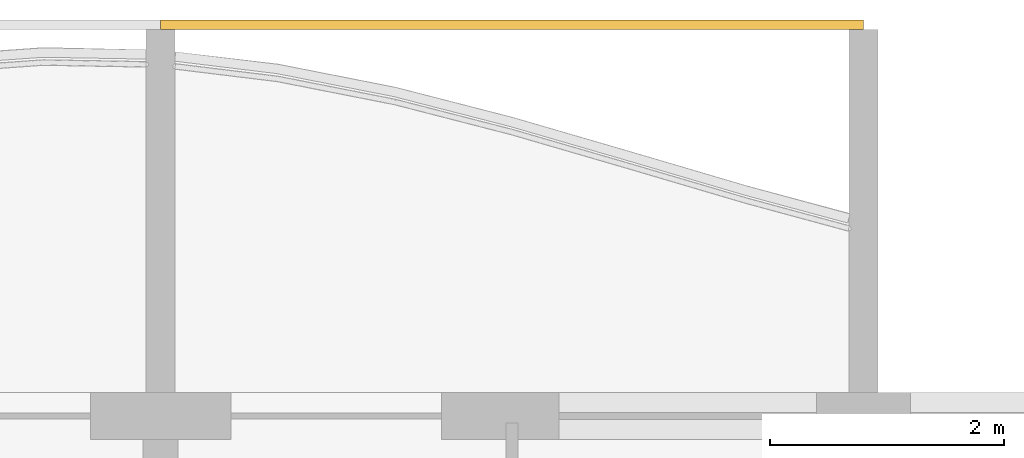
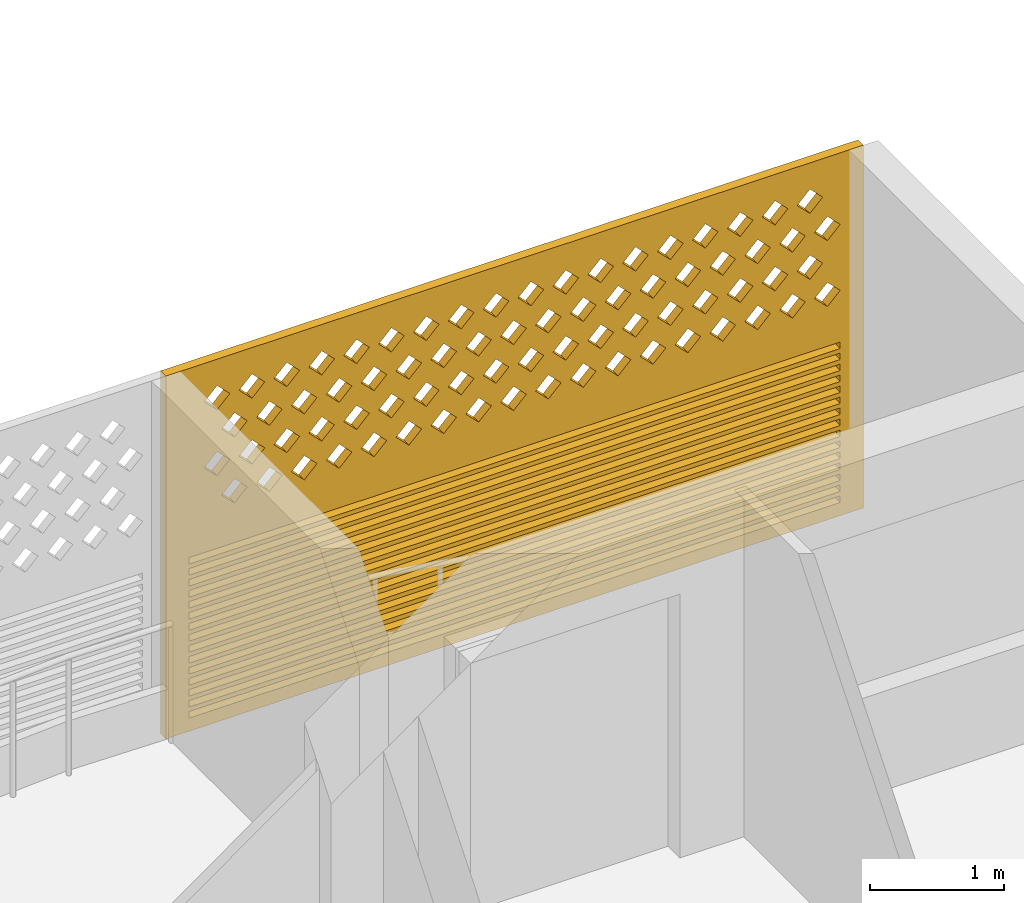
# One storey, part 22 of 32: 1 covering.
"""IFC4 building model written with IfcOpenShell, lengths in metres."""

from ifc_helpers import new_model, si_unit, direction, frame, origin, place, context, subcontext, project, spatial, polyline, outline, extrude, source, transform, mapped, material, material_profile, profile_set, type_object, element, save


model = new_model("IFC4")

# Units and contexts
model_context = context("Model", 3, precision=1e-05, world=origin(), true_north=direction((0.0, 1.0)))
body_context = subcontext(model_context, "Body", "Model", "MODEL_VIEW")
ifc_project = project(units=[si_unit("LENGTHUNIT", "METRE"), si_unit("AREAUNIT", "SQUARE_METRE"), si_unit("VOLUMEUNIT", "CUBIC_METRE"), si_unit("PLANEANGLEUNIT", "RADIAN"), si_unit("MASSUNIT", "GRAM", prefix="KILO")], contexts=[model_context])

# Site, building, storey
site_placement = place(None, origin())
site = spatial("IfcSite", under=ifc_project, at=site_placement, CompositionType="ELEMENT")
building_placement = place(site_placement, origin())
building = spatial("IfcBuilding", under=site, at=building_placement, Name="Poui Terraces", CompositionType="ELEMENT")
storey_placement = place(building_placement, frame((0.0, 0.0, 152.10009765625)))
storey = spatial("IfcBuildingStorey", under=building, at=storey_placement, Name="L42", CompositionType="ELEMENT", Elevation=152.10009765625)

# Covering
ifc_material = material(Name="Terracotta screen", Category="masonry")
ifc_material_profile = material_profile(ifc_material, outline(polyline([(-3.0, -1.64990234375), (3.0, -1.64990234375), (3.0, 1.64990234375), (-3.0, 1.64990234375), (-3.0, -1.64990234375)]), holes=[polyline([(-2.800048828125, 0.39990234375), (-2.68994140625, 0.2900390625), (-2.580078125, 0.39990234375), (-2.68994140625, 0.510009765625), (-2.800048828125, 0.39990234375)]), polyline([(-2.5, 0.39990234375), (-2.389892578125, 0.2900390625), (-2.280029296875, 0.39990234375), (-2.389892578125, 0.510009765625), (-2.5, 0.39990234375)]), polyline([(-2.199951171875, 0.39990234375), (-2.090087890625, 0.2900390625), (-1.97998046875, 0.39990234375), (-2.090087890625, 0.510009765625), (-2.199951171875, 0.39990234375)]), polyline([(-1.89990234375, 0.39990234375), (-1.7900390625, 0.2900390625), (-1.679931640625, 0.39990234375), (-1.7900390625, 0.510009765625), (-1.89990234375, 0.39990234375)]), polyline([(-1.60009765625, 0.39990234375), (-1.489990234375, 0.2900390625), (-1.3798828125, 0.39990234375), (-1.489990234375, 0.510009765625), (-1.60009765625, 0.39990234375)]), polyline([(-1.300048828125, 0.39990234375), (-1.18994140625, 0.2900390625), (-1.080078125, 0.39990234375), (-1.18994140625, 0.510009765625), (-1.300048828125, 0.39990234375)]), polyline([(-1.0, 0.39990234375), (-0.889892578125, 0.2900390625), (-0.780029296875, 0.39990234375), (-0.889892578125, 0.510009765625), (-1.0, 0.39990234375)]), polyline([(-0.699951171875, 0.39990234375), (-0.590087890625, 0.2900390625), (-0.47998046875, 0.39990234375), (-0.590087890625, 0.510009765625), (-0.699951171875, 0.39990234375)]), polyline([(-0.39990234375, 0.39990234375), (-0.2900390625, 0.2900390625), (-0.179931640625, 0.39990234375), (-0.2900390625, 0.510009765625), (-0.39990234375, 0.39990234375)]), polyline([(-0.10009765625, 0.39990234375), (0.010009765625, 0.2900390625), (0.1201171875, 0.39990234375), (0.010009765625, 0.510009765625), (-0.10009765625, 0.39990234375)]), polyline([(0.199951171875, 0.39990234375), (0.31005859375, 0.2900390625), (0.419921875, 0.39990234375), (0.31005859375, 0.510009765625), (0.199951171875, 0.39990234375)]), polyline([(0.5, 0.39990234375), (0.610107421875, 0.2900390625), (0.719970703125, 0.39990234375), (0.610107421875, 0.510009765625), (0.5, 0.39990234375)]), polyline([(0.800048828125, 0.39990234375), (0.909912109375, 0.2900390625), (1.02001953125, 0.39990234375), (0.909912109375, 0.510009765625), (0.800048828125, 0.39990234375)]), polyline([(1.10009765625, 0.39990234375), (1.2099609375, 0.2900390625), (1.320068359375, 0.39990234375), (1.2099609375, 0.510009765625), (1.10009765625, 0.39990234375)]), polyline([(1.39990234375, 0.39990234375), (1.510009765625, 0.2900390625), (1.6201171875, 0.39990234375), (1.510009765625, 0.510009765625), (1.39990234375, 0.39990234375)]), polyline([(1.699951171875, 0.39990234375), (1.81005859375, 0.2900390625), (1.919921875, 0.39990234375), (1.81005859375, 0.510009765625), (1.699951171875, 0.39990234375)]), polyline([(2.0, 0.39990234375), (2.110107421875, 0.2900390625), (2.219970703125, 0.39990234375), (2.110107421875, 0.510009765625), (2.0, 0.39990234375)]), polyline([(2.300048828125, 0.39990234375), (2.409912109375, 0.2900390625), (2.52001953125, 0.39990234375), (2.409912109375, 0.510009765625), (2.300048828125, 0.39990234375)]), polyline([(-2.64990234375, 0.699951171875), (-2.5400390625, 0.590087890625), (-2.429931640625, 0.699951171875), (-2.5400390625, 0.81005859375), (-2.64990234375, 0.699951171875)]), polyline([(-2.35009765625, 0.699951171875), (-2.239990234375, 0.590087890625), (-2.1298828125, 0.699951171875), (-2.239990234375, 0.81005859375), (-2.35009765625, 0.699951171875)]), polyline([(-2.050048828125, 0.699951171875), (-1.93994140625, 0.590087890625), (-1.830078125, 0.699951171875), (-1.93994140625, 0.81005859375), (-2.050048828125, 0.699951171875)]), polyline([(-1.75, 0.699951171875), (-1.639892578125, 0.590087890625), (-1.530029296875, 0.699951171875), (-1.639892578125, 0.81005859375), (-1.75, 0.699951171875)]), polyline([(-1.449951171875, 0.699951171875), (-1.340087890625, 0.590087890625), (-1.22998046875, 0.699951171875), (-1.340087890625, 0.81005859375), (-1.449951171875, 0.699951171875)]), polyline([(-1.14990234375, 0.699951171875), (-1.0400390625, 0.590087890625), (-0.929931640625, 0.699951171875), (-1.0400390625, 0.81005859375), (-1.14990234375, 0.699951171875)]), polyline([(-0.85009765625, 0.699951171875), (-0.739990234375, 0.590087890625), (-0.6298828125, 0.699951171875), (-0.739990234375, 0.81005859375), (-0.85009765625, 0.699951171875)]), polyline([(-0.550048828125, 0.699951171875), (-0.43994140625, 0.590087890625), (-0.330078125, 0.699951171875), (-0.43994140625, 0.81005859375), (-0.550048828125, 0.699951171875)]), polyline([(-0.25, 0.699951171875), (-0.139892578125, 0.590087890625), (-0.030029296875, 0.699951171875), (-0.139892578125, 0.81005859375), (-0.25, 0.699951171875)]), polyline([(0.050048828125, 0.699951171875), (0.159912109375, 0.590087890625), (0.27001953125, 0.699951171875), (0.159912109375, 0.81005859375), (0.050048828125, 0.699951171875)]), polyline([(0.35009765625, 0.699951171875), (0.4599609375, 0.590087890625), (0.570068359375, 0.699951171875), (0.4599609375, 0.81005859375), (0.35009765625, 0.699951171875)]), polyline([(0.64990234375, 0.699951171875), (0.760009765625, 0.590087890625), (0.8701171875, 0.699951171875), (0.760009765625, 0.81005859375), (0.64990234375, 0.699951171875)]), polyline([(0.949951171875, 0.699951171875), (1.06005859375, 0.590087890625), (1.169921875, 0.699951171875), (1.06005859375, 0.81005859375), (0.949951171875, 0.699951171875)]), polyline([(1.25, 0.699951171875), (1.360107421875, 0.590087890625), (1.469970703125, 0.699951171875), (1.360107421875, 0.81005859375), (1.25, 0.699951171875)]), polyline([(1.550048828125, 0.699951171875), (1.659912109375, 0.590087890625), (1.77001953125, 0.699951171875), (1.659912109375, 0.81005859375), (1.550048828125, 0.699951171875)]), polyline([(1.85009765625, 0.699951171875), (1.9599609375, 0.590087890625), (2.070068359375, 0.699951171875), (1.9599609375, 0.81005859375), (1.85009765625, 0.699951171875)]), polyline([(2.14990234375, 0.699951171875), (2.260009765625, 0.590087890625), (2.3701171875, 0.699951171875), (2.260009765625, 0.81005859375), (2.14990234375, 0.699951171875)]), polyline([(2.449951171875, 0.699951171875), (2.56005859375, 0.590087890625), (2.669921875, 0.699951171875), (2.56005859375, 0.81005859375), (2.449951171875, 0.699951171875)]), polyline([(-2.800048828125, 1.0), (-2.68994140625, 0.889892578125), (-2.580078125, 1.0), (-2.68994140625, 1.110107421875), (-2.800048828125, 1.0)]), polyline([(-2.5, 1.0), (-2.389892578125, 0.889892578125), (-2.280029296875, 1.0), (-2.389892578125, 1.110107421875), (-2.5, 1.0)]), polyline([(-2.199951171875, 1.0), (-2.090087890625, 0.889892578125), (-1.97998046875, 1.0), (-2.090087890625, 1.110107421875), (-2.199951171875, 1.0)]), polyline([(-1.89990234375, 1.0), (-1.7900390625, 0.889892578125), (-1.679931640625, 1.0), (-1.7900390625, 1.110107421875), (-1.89990234375, 1.0)]), polyline([(-1.60009765625, 1.0), (-1.489990234375, 0.889892578125), (-1.3798828125, 1.0), (-1.489990234375, 1.110107421875), (-1.60009765625, 1.0)]), polyline([(-1.300048828125, 1.0), (-1.18994140625, 0.889892578125), (-1.080078125, 1.0), (-1.18994140625, 1.110107421875), (-1.300048828125, 1.0)]), polyline([(-1.0, 1.0), (-0.889892578125, 0.889892578125), (-0.780029296875, 1.0), (-0.889892578125, 1.110107421875), (-1.0, 1.0)]), polyline([(-0.699951171875, 1.0), (-0.590087890625, 0.889892578125), (-0.47998046875, 1.0), (-0.590087890625, 1.110107421875), (-0.699951171875, 1.0)]), polyline([(-0.39990234375, 1.0), (-0.2900390625, 0.889892578125), (-0.179931640625, 1.0), (-0.2900390625, 1.110107421875), (-0.39990234375, 1.0)]), polyline([(-0.10009765625, 1.0), (0.010009765625, 0.889892578125), (0.1201171875, 1.0), (0.010009765625, 1.110107421875), (-0.10009765625, 1.0)]), polyline([(0.199951171875, 1.0), (0.31005859375, 0.889892578125), (0.419921875, 1.0), (0.31005859375, 1.110107421875), (0.199951171875, 1.0)]), polyline([(0.5, 1.0), (0.610107421875, 0.889892578125), (0.719970703125, 1.0), (0.610107421875, 1.110107421875), (0.5, 1.0)]), polyline([(0.800048828125, 1.0), (0.909912109375, 0.889892578125), (1.02001953125, 1.0), (0.909912109375, 1.110107421875), (0.800048828125, 1.0)]), polyline([(1.10009765625, 1.0), (1.2099609375, 0.889892578125), (1.320068359375, 1.0), (1.2099609375, 1.110107421875), (1.10009765625, 1.0)]), polyline([(1.39990234375, 1.0), (1.510009765625, 0.889892578125), (1.6201171875, 1.0), (1.510009765625, 1.110107421875), (1.39990234375, 1.0)]), polyline([(1.699951171875, 1.0), (1.81005859375, 0.889892578125), (1.919921875, 1.0), (1.81005859375, 1.110107421875), (1.699951171875, 1.0)]), polyline([(2.0, 1.0), (2.110107421875, 0.889892578125), (2.219970703125, 1.0), (2.110107421875, 1.110107421875), (2.0, 1.0)]), polyline([(2.300048828125, 1.0), (2.409912109375, 0.889892578125), (2.52001953125, 1.0), (2.409912109375, 1.110107421875), (2.300048828125, 1.0)]), polyline([(-2.64990234375, 1.300048828125), (-2.5400390625, 1.18994140625), (-2.429931640625, 1.300048828125), (-2.5400390625, 1.409912109375), (-2.64990234375, 1.300048828125)]), polyline([(-2.35009765625, 1.300048828125), (-2.239990234375, 1.18994140625), (-2.1298828125, 1.300048828125), (-2.239990234375, 1.409912109375), (-2.35009765625, 1.300048828125)]), polyline([(-2.050048828125, 1.300048828125), (-1.93994140625, 1.18994140625), (-1.830078125, 1.300048828125), (-1.93994140625, 1.409912109375), (-2.050048828125, 1.300048828125)]), polyline([(-1.75, 1.300048828125), (-1.639892578125, 1.18994140625), (-1.530029296875, 1.300048828125), (-1.639892578125, 1.409912109375), (-1.75, 1.300048828125)]), polyline([(-1.449951171875, 1.300048828125), (-1.340087890625, 1.18994140625), (-1.22998046875, 1.300048828125), (-1.340087890625, 1.409912109375), (-1.449951171875, 1.300048828125)]), polyline([(-1.14990234375, 1.300048828125), (-1.0400390625, 1.18994140625), (-0.929931640625, 1.300048828125), (-1.0400390625, 1.409912109375), (-1.14990234375, 1.300048828125)]), polyline([(-0.85009765625, 1.300048828125), (-0.739990234375, 1.18994140625), (-0.6298828125, 1.300048828125), (-0.739990234375, 1.409912109375), (-0.85009765625, 1.300048828125)]), polyline([(-0.550048828125, 1.300048828125), (-0.43994140625, 1.18994140625), (-0.330078125, 1.300048828125), (-0.43994140625, 1.409912109375), (-0.550048828125, 1.300048828125)]), polyline([(-0.25, 1.300048828125), (-0.139892578125, 1.18994140625), (-0.030029296875, 1.300048828125), (-0.139892578125, 1.409912109375), (-0.25, 1.300048828125)]), polyline([(0.050048828125, 1.300048828125), (0.159912109375, 1.18994140625), (0.27001953125, 1.300048828125), (0.159912109375, 1.409912109375), (0.050048828125, 1.300048828125)]), polyline([(0.35009765625, 1.300048828125), (0.4599609375, 1.18994140625), (0.570068359375, 1.300048828125), (0.4599609375, 1.409912109375), (0.35009765625, 1.300048828125)]), polyline([(0.64990234375, 1.300048828125), (0.760009765625, 1.18994140625), (0.8701171875, 1.300048828125), (0.760009765625, 1.409912109375), (0.64990234375, 1.300048828125)]), polyline([(0.949951171875, 1.300048828125), (1.06005859375, 1.18994140625), (1.169921875, 1.300048828125), (1.06005859375, 1.409912109375), (0.949951171875, 1.300048828125)]), polyline([(1.25, 1.300048828125), (1.360107421875, 1.18994140625), (1.469970703125, 1.300048828125), (1.360107421875, 1.409912109375), (1.25, 1.300048828125)]), polyline([(1.550048828125, 1.300048828125), (1.659912109375, 1.18994140625), (1.77001953125, 1.300048828125), (1.659912109375, 1.409912109375), (1.550048828125, 1.300048828125)]), polyline([(1.85009765625, 1.300048828125), (1.9599609375, 1.18994140625), (2.070068359375, 1.300048828125), (1.9599609375, 1.409912109375), (1.85009765625, 1.300048828125)]), polyline([(2.14990234375, 1.300048828125), (2.260009765625, 1.18994140625), (2.3701171875, 1.300048828125), (2.260009765625, 1.409912109375), (2.14990234375, 1.300048828125)]), polyline([(2.449951171875, 1.300048828125), (2.56005859375, 1.18994140625), (2.669921875, 1.300048828125), (2.56005859375, 1.409912109375), (2.449951171875, 1.300048828125)]), polyline([(-2.800048828125, -1.530029296875), (2.800048828125, -1.530029296875), (2.800048828125, -1.469970703125), (-2.800048828125, -1.469970703125), (-2.800048828125, -1.530029296875)]), polyline([(-2.800048828125, -1.429931640625), (2.800048828125, -1.429931640625), (2.800048828125, -1.3701171875), (-2.800048828125, -1.3701171875), (-2.800048828125, -1.429931640625)]), polyline([(-2.800048828125, -1.330078125), (2.800048828125, -1.330078125), (2.800048828125, -1.27001953125), (-2.800048828125, -1.27001953125), (-2.800048828125, -1.330078125)]), polyline([(-2.800048828125, -1.22998046875), (2.800048828125, -1.22998046875), (2.800048828125, -1.169921875), (-2.800048828125, -1.169921875), (-2.800048828125, -1.22998046875)]), polyline([(-2.800048828125, -1.1298828125), (2.800048828125, -1.1298828125), (2.800048828125, -1.070068359375), (-2.800048828125, -1.070068359375), (-2.800048828125, -1.1298828125)]), polyline([(-2.800048828125, -1.030029296875), (2.800048828125, -1.030029296875), (2.800048828125, -0.969970703125), (-2.800048828125, -0.969970703125), (-2.800048828125, -1.030029296875)]), polyline([(-2.800048828125, -0.929931640625), (2.800048828125, -0.929931640625), (2.800048828125, -0.8701171875), (-2.800048828125, -0.8701171875), (-2.800048828125, -0.929931640625)]), polyline([(-2.800048828125, -0.830078125), (2.800048828125, -0.830078125), (2.800048828125, -0.77001953125), (-2.800048828125, -0.77001953125), (-2.800048828125, -0.830078125)]), polyline([(-2.800048828125, -0.72998046875), (2.800048828125, -0.72998046875), (2.800048828125, -0.669921875), (-2.800048828125, -0.669921875), (-2.800048828125, -0.72998046875)]), polyline([(-2.800048828125, -0.6298828125), (2.800048828125, -0.6298828125), (2.800048828125, -0.570068359375), (-2.800048828125, -0.570068359375), (-2.800048828125, -0.6298828125)]), polyline([(-2.800048828125, -0.530029296875), (2.800048828125, -0.530029296875), (2.800048828125, -0.469970703125), (-2.800048828125, -0.469970703125), (-2.800048828125, -0.530029296875)]), polyline([(-2.800048828125, -0.429931640625), (2.800048828125, -0.429931640625), (2.800048828125, -0.3701171875), (-2.800048828125, -0.3701171875), (-2.800048828125, -0.429931640625)]), polyline([(-2.800048828125, -0.330078125), (2.800048828125, -0.330078125), (2.800048828125, -0.27001953125), (-2.800048828125, -0.27001953125), (-2.800048828125, -0.330078125)]), polyline([(-2.800048828125, -0.22998046875), (2.800048828125, -0.22998046875), (2.800048828125, -0.169921875), (-2.800048828125, -0.169921875), (-2.800048828125, -0.22998046875)]), polyline([(-2.800048828125, -0.1298828125), (2.800048828125, -0.1298828125), (2.800048828125, -0.070068359375), (-2.800048828125, -0.070068359375), (-2.800048828125, -0.1298828125)])]), Name="TERRACOTTA SCREEN AND JALOUSIE LOUVRE 6000X3300")
ifc_profile_set = profile_set([ifc_material_profile], Name="Terracotta screen")
covering_type = type_object("IfcCoveringType", Name="TERRACOTTA SCREEN AND JALOUSIE LOUVRE 6000X3300", PredefinedType="CLADDING", material=ifc_profile_set)
shared_shape = source(origin(), body_context, "Body", "SweptSolid", [
    extrude(outline(polyline([(-3.0, -1.64990234375), (3.0, -1.64990234375), (3.0, 1.64990234375), (-3.0, 1.64990234375), (-3.0, -1.64990234375)]), holes=[polyline([(-2.800048828125, 0.39990234375), (-2.68994140625, 0.2900390625), (-2.580078125, 0.39990234375), (-2.68994140625, 0.510009765625), (-2.800048828125, 0.39990234375)]), polyline([(-2.5, 0.39990234375), (-2.389892578125, 0.2900390625), (-2.280029296875, 0.39990234375), (-2.389892578125, 0.510009765625), (-2.5, 0.39990234375)]), polyline([(-2.199951171875, 0.39990234375), (-2.090087890625, 0.2900390625), (-1.97998046875, 0.39990234375), (-2.090087890625, 0.510009765625), (-2.199951171875, 0.39990234375)]), polyline([(-1.89990234375, 0.39990234375), (-1.7900390625, 0.2900390625), (-1.679931640625, 0.39990234375), (-1.7900390625, 0.510009765625), (-1.89990234375, 0.39990234375)]), polyline([(-1.60009765625, 0.39990234375), (-1.489990234375, 0.2900390625), (-1.3798828125, 0.39990234375), (-1.489990234375, 0.510009765625), (-1.60009765625, 0.39990234375)]), polyline([(-1.300048828125, 0.39990234375), (-1.18994140625, 0.2900390625), (-1.080078125, 0.39990234375), (-1.18994140625, 0.510009765625), (-1.300048828125, 0.39990234375)]), polyline([(-1.0, 0.39990234375), (-0.889892578125, 0.2900390625), (-0.780029296875, 0.39990234375), (-0.889892578125, 0.510009765625), (-1.0, 0.39990234375)]), polyline([(-0.699951171875, 0.39990234375), (-0.590087890625, 0.2900390625), (-0.47998046875, 0.39990234375), (-0.590087890625, 0.510009765625), (-0.699951171875, 0.39990234375)]), polyline([(-0.39990234375, 0.39990234375), (-0.2900390625, 0.2900390625), (-0.179931640625, 0.39990234375), (-0.2900390625, 0.510009765625), (-0.39990234375, 0.39990234375)]), polyline([(-0.10009765625, 0.39990234375), (0.010009765625, 0.2900390625), (0.1201171875, 0.39990234375), (0.010009765625, 0.510009765625), (-0.10009765625, 0.39990234375)]), polyline([(0.199951171875, 0.39990234375), (0.31005859375, 0.2900390625), (0.419921875, 0.39990234375), (0.31005859375, 0.510009765625), (0.199951171875, 0.39990234375)]), polyline([(0.5, 0.39990234375), (0.610107421875, 0.2900390625), (0.719970703125, 0.39990234375), (0.610107421875, 0.510009765625), (0.5, 0.39990234375)]), polyline([(0.800048828125, 0.39990234375), (0.909912109375, 0.2900390625), (1.02001953125, 0.39990234375), (0.909912109375, 0.510009765625), (0.800048828125, 0.39990234375)]), polyline([(1.10009765625, 0.39990234375), (1.2099609375, 0.2900390625), (1.320068359375, 0.39990234375), (1.2099609375, 0.510009765625), (1.10009765625, 0.39990234375)]), polyline([(1.39990234375, 0.39990234375), (1.510009765625, 0.2900390625), (1.6201171875, 0.39990234375), (1.510009765625, 0.510009765625), (1.39990234375, 0.39990234375)]), polyline([(1.699951171875, 0.39990234375), (1.81005859375, 0.2900390625), (1.919921875, 0.39990234375), (1.81005859375, 0.510009765625), (1.699951171875, 0.39990234375)]), polyline([(2.0, 0.39990234375), (2.110107421875, 0.2900390625), (2.219970703125, 0.39990234375), (2.110107421875, 0.510009765625), (2.0, 0.39990234375)]), polyline([(2.300048828125, 0.39990234375), (2.409912109375, 0.2900390625), (2.52001953125, 0.39990234375), (2.409912109375, 0.510009765625), (2.300048828125, 0.39990234375)]), polyline([(-2.64990234375, 0.699951171875), (-2.5400390625, 0.590087890625), (-2.429931640625, 0.699951171875), (-2.5400390625, 0.81005859375), (-2.64990234375, 0.699951171875)]), polyline([(-2.35009765625, 0.699951171875), (-2.239990234375, 0.590087890625), (-2.1298828125, 0.699951171875), (-2.239990234375, 0.81005859375), (-2.35009765625, 0.699951171875)]), polyline([(-2.050048828125, 0.699951171875), (-1.93994140625, 0.590087890625), (-1.830078125, 0.699951171875), (-1.93994140625, 0.81005859375), (-2.050048828125, 0.699951171875)]), polyline([(-1.75, 0.699951171875), (-1.639892578125, 0.590087890625), (-1.530029296875, 0.699951171875), (-1.639892578125, 0.81005859375), (-1.75, 0.699951171875)]), polyline([(-1.449951171875, 0.699951171875), (-1.340087890625, 0.590087890625), (-1.22998046875, 0.699951171875), (-1.340087890625, 0.81005859375), (-1.449951171875, 0.699951171875)]), polyline([(-1.14990234375, 0.699951171875), (-1.0400390625, 0.590087890625), (-0.929931640625, 0.699951171875), (-1.0400390625, 0.81005859375), (-1.14990234375, 0.699951171875)]), polyline([(-0.85009765625, 0.699951171875), (-0.739990234375, 0.590087890625), (-0.6298828125, 0.699951171875), (-0.739990234375, 0.81005859375), (-0.85009765625, 0.699951171875)]), polyline([(-0.550048828125, 0.699951171875), (-0.43994140625, 0.590087890625), (-0.330078125, 0.699951171875), (-0.43994140625, 0.81005859375), (-0.550048828125, 0.699951171875)]), polyline([(-0.25, 0.699951171875), (-0.139892578125, 0.590087890625), (-0.030029296875, 0.699951171875), (-0.139892578125, 0.81005859375), (-0.25, 0.699951171875)]), polyline([(0.050048828125, 0.699951171875), (0.159912109375, 0.590087890625), (0.27001953125, 0.699951171875), (0.159912109375, 0.81005859375), (0.050048828125, 0.699951171875)]), polyline([(0.35009765625, 0.699951171875), (0.4599609375, 0.590087890625), (0.570068359375, 0.699951171875), (0.4599609375, 0.81005859375), (0.35009765625, 0.699951171875)]), polyline([(0.64990234375, 0.699951171875), (0.760009765625, 0.590087890625), (0.8701171875, 0.699951171875), (0.760009765625, 0.81005859375), (0.64990234375, 0.699951171875)]), polyline([(0.949951171875, 0.699951171875), (1.06005859375, 0.590087890625), (1.169921875, 0.699951171875), (1.06005859375, 0.81005859375), (0.949951171875, 0.699951171875)]), polyline([(1.25, 0.699951171875), (1.360107421875, 0.590087890625), (1.469970703125, 0.699951171875), (1.360107421875, 0.81005859375), (1.25, 0.699951171875)]), polyline([(1.550048828125, 0.699951171875), (1.659912109375, 0.590087890625), (1.77001953125, 0.699951171875), (1.659912109375, 0.81005859375), (1.550048828125, 0.699951171875)]), polyline([(1.85009765625, 0.699951171875), (1.9599609375, 0.590087890625), (2.070068359375, 0.699951171875), (1.9599609375, 0.81005859375), (1.85009765625, 0.699951171875)]), polyline([(2.14990234375, 0.699951171875), (2.260009765625, 0.590087890625), (2.3701171875, 0.699951171875), (2.260009765625, 0.81005859375), (2.14990234375, 0.699951171875)]), polyline([(2.449951171875, 0.699951171875), (2.56005859375, 0.590087890625), (2.669921875, 0.699951171875), (2.56005859375, 0.81005859375), (2.449951171875, 0.699951171875)]), polyline([(-2.800048828125, 1.0), (-2.68994140625, 0.889892578125), (-2.580078125, 1.0), (-2.68994140625, 1.110107421875), (-2.800048828125, 1.0)]), polyline([(-2.5, 1.0), (-2.389892578125, 0.889892578125), (-2.280029296875, 1.0), (-2.389892578125, 1.110107421875), (-2.5, 1.0)]), polyline([(-2.199951171875, 1.0), (-2.090087890625, 0.889892578125), (-1.97998046875, 1.0), (-2.090087890625, 1.110107421875), (-2.199951171875, 1.0)]), polyline([(-1.89990234375, 1.0), (-1.7900390625, 0.889892578125), (-1.679931640625, 1.0), (-1.7900390625, 1.110107421875), (-1.89990234375, 1.0)]), polyline([(-1.60009765625, 1.0), (-1.489990234375, 0.889892578125), (-1.3798828125, 1.0), (-1.489990234375, 1.110107421875), (-1.60009765625, 1.0)]), polyline([(-1.300048828125, 1.0), (-1.18994140625, 0.889892578125), (-1.080078125, 1.0), (-1.18994140625, 1.110107421875), (-1.300048828125, 1.0)]), polyline([(-1.0, 1.0), (-0.889892578125, 0.889892578125), (-0.780029296875, 1.0), (-0.889892578125, 1.110107421875), (-1.0, 1.0)]), polyline([(-0.699951171875, 1.0), (-0.590087890625, 0.889892578125), (-0.47998046875, 1.0), (-0.590087890625, 1.110107421875), (-0.699951171875, 1.0)]), polyline([(-0.39990234375, 1.0), (-0.2900390625, 0.889892578125), (-0.179931640625, 1.0), (-0.2900390625, 1.110107421875), (-0.39990234375, 1.0)]), polyline([(-0.10009765625, 1.0), (0.010009765625, 0.889892578125), (0.1201171875, 1.0), (0.010009765625, 1.110107421875), (-0.10009765625, 1.0)]), polyline([(0.199951171875, 1.0), (0.31005859375, 0.889892578125), (0.419921875, 1.0), (0.31005859375, 1.110107421875), (0.199951171875, 1.0)]), polyline([(0.5, 1.0), (0.610107421875, 0.889892578125), (0.719970703125, 1.0), (0.610107421875, 1.110107421875), (0.5, 1.0)]), polyline([(0.800048828125, 1.0), (0.909912109375, 0.889892578125), (1.02001953125, 1.0), (0.909912109375, 1.110107421875), (0.800048828125, 1.0)]), polyline([(1.10009765625, 1.0), (1.2099609375, 0.889892578125), (1.320068359375, 1.0), (1.2099609375, 1.110107421875), (1.10009765625, 1.0)]), polyline([(1.39990234375, 1.0), (1.510009765625, 0.889892578125), (1.6201171875, 1.0), (1.510009765625, 1.110107421875), (1.39990234375, 1.0)]), polyline([(1.699951171875, 1.0), (1.81005859375, 0.889892578125), (1.919921875, 1.0), (1.81005859375, 1.110107421875), (1.699951171875, 1.0)]), polyline([(2.0, 1.0), (2.110107421875, 0.889892578125), (2.219970703125, 1.0), (2.110107421875, 1.110107421875), (2.0, 1.0)]), polyline([(2.300048828125, 1.0), (2.409912109375, 0.889892578125), (2.52001953125, 1.0), (2.409912109375, 1.110107421875), (2.300048828125, 1.0)]), polyline([(-2.64990234375, 1.300048828125), (-2.5400390625, 1.18994140625), (-2.429931640625, 1.300048828125), (-2.5400390625, 1.409912109375), (-2.64990234375, 1.300048828125)]), polyline([(-2.35009765625, 1.300048828125), (-2.239990234375, 1.18994140625), (-2.1298828125, 1.300048828125), (-2.239990234375, 1.409912109375), (-2.35009765625, 1.300048828125)]), polyline([(-2.050048828125, 1.300048828125), (-1.93994140625, 1.18994140625), (-1.830078125, 1.300048828125), (-1.93994140625, 1.409912109375), (-2.050048828125, 1.300048828125)]), polyline([(-1.75, 1.300048828125), (-1.639892578125, 1.18994140625), (-1.530029296875, 1.300048828125), (-1.639892578125, 1.409912109375), (-1.75, 1.300048828125)]), polyline([(-1.449951171875, 1.300048828125), (-1.340087890625, 1.18994140625), (-1.22998046875, 1.300048828125), (-1.340087890625, 1.409912109375), (-1.449951171875, 1.300048828125)]), polyline([(-1.14990234375, 1.300048828125), (-1.0400390625, 1.18994140625), (-0.929931640625, 1.300048828125), (-1.0400390625, 1.409912109375), (-1.14990234375, 1.300048828125)]), polyline([(-0.85009765625, 1.300048828125), (-0.739990234375, 1.18994140625), (-0.6298828125, 1.300048828125), (-0.739990234375, 1.409912109375), (-0.85009765625, 1.300048828125)]), polyline([(-0.550048828125, 1.300048828125), (-0.43994140625, 1.18994140625), (-0.330078125, 1.300048828125), (-0.43994140625, 1.409912109375), (-0.550048828125, 1.300048828125)]), polyline([(-0.25, 1.300048828125), (-0.139892578125, 1.18994140625), (-0.030029296875, 1.300048828125), (-0.139892578125, 1.409912109375), (-0.25, 1.300048828125)]), polyline([(0.050048828125, 1.300048828125), (0.159912109375, 1.18994140625), (0.27001953125, 1.300048828125), (0.159912109375, 1.409912109375), (0.050048828125, 1.300048828125)]), polyline([(0.35009765625, 1.300048828125), (0.4599609375, 1.18994140625), (0.570068359375, 1.300048828125), (0.4599609375, 1.409912109375), (0.35009765625, 1.300048828125)]), polyline([(0.64990234375, 1.300048828125), (0.760009765625, 1.18994140625), (0.8701171875, 1.300048828125), (0.760009765625, 1.409912109375), (0.64990234375, 1.300048828125)]), polyline([(0.949951171875, 1.300048828125), (1.06005859375, 1.18994140625), (1.169921875, 1.300048828125), (1.06005859375, 1.409912109375), (0.949951171875, 1.300048828125)]), polyline([(1.25, 1.300048828125), (1.360107421875, 1.18994140625), (1.469970703125, 1.300048828125), (1.360107421875, 1.409912109375), (1.25, 1.300048828125)]), polyline([(1.550048828125, 1.300048828125), (1.659912109375, 1.18994140625), (1.77001953125, 1.300048828125), (1.659912109375, 1.409912109375), (1.550048828125, 1.300048828125)]), polyline([(1.85009765625, 1.300048828125), (1.9599609375, 1.18994140625), (2.070068359375, 1.300048828125), (1.9599609375, 1.409912109375), (1.85009765625, 1.300048828125)]), polyline([(2.14990234375, 1.300048828125), (2.260009765625, 1.18994140625), (2.3701171875, 1.300048828125), (2.260009765625, 1.409912109375), (2.14990234375, 1.300048828125)]), polyline([(2.449951171875, 1.300048828125), (2.56005859375, 1.18994140625), (2.669921875, 1.300048828125), (2.56005859375, 1.409912109375), (2.449951171875, 1.300048828125)]), polyline([(-2.800048828125, -1.530029296875), (2.800048828125, -1.530029296875), (2.800048828125, -1.469970703125), (-2.800048828125, -1.469970703125), (-2.800048828125, -1.530029296875)]), polyline([(-2.800048828125, -1.429931640625), (2.800048828125, -1.429931640625), (2.800048828125, -1.3701171875), (-2.800048828125, -1.3701171875), (-2.800048828125, -1.429931640625)]), polyline([(-2.800048828125, -1.330078125), (2.800048828125, -1.330078125), (2.800048828125, -1.27001953125), (-2.800048828125, -1.27001953125), (-2.800048828125, -1.330078125)]), polyline([(-2.800048828125, -1.22998046875), (2.800048828125, -1.22998046875), (2.800048828125, -1.169921875), (-2.800048828125, -1.169921875), (-2.800048828125, -1.22998046875)]), polyline([(-2.800048828125, -1.1298828125), (2.800048828125, -1.1298828125), (2.800048828125, -1.070068359375), (-2.800048828125, -1.070068359375), (-2.800048828125, -1.1298828125)]), polyline([(-2.800048828125, -1.030029296875), (2.800048828125, -1.030029296875), (2.800048828125, -0.969970703125), (-2.800048828125, -0.969970703125), (-2.800048828125, -1.030029296875)]), polyline([(-2.800048828125, -0.929931640625), (2.800048828125, -0.929931640625), (2.800048828125, -0.8701171875), (-2.800048828125, -0.8701171875), (-2.800048828125, -0.929931640625)]), polyline([(-2.800048828125, -0.830078125), (2.800048828125, -0.830078125), (2.800048828125, -0.77001953125), (-2.800048828125, -0.77001953125), (-2.800048828125, -0.830078125)]), polyline([(-2.800048828125, -0.72998046875), (2.800048828125, -0.72998046875), (2.800048828125, -0.669921875), (-2.800048828125, -0.669921875), (-2.800048828125, -0.72998046875)]), polyline([(-2.800048828125, -0.6298828125), (2.800048828125, -0.6298828125), (2.800048828125, -0.570068359375), (-2.800048828125, -0.570068359375), (-2.800048828125, -0.6298828125)]), polyline([(-2.800048828125, -0.530029296875), (2.800048828125, -0.530029296875), (2.800048828125, -0.469970703125), (-2.800048828125, -0.469970703125), (-2.800048828125, -0.530029296875)]), polyline([(-2.800048828125, -0.429931640625), (2.800048828125, -0.429931640625), (2.800048828125, -0.3701171875), (-2.800048828125, -0.3701171875), (-2.800048828125, -0.429931640625)]), polyline([(-2.800048828125, -0.330078125), (2.800048828125, -0.330078125), (2.800048828125, -0.27001953125), (-2.800048828125, -0.27001953125), (-2.800048828125, -0.330078125)]), polyline([(-2.800048828125, -0.22998046875), (2.800048828125, -0.22998046875), (2.800048828125, -0.169921875), (-2.800048828125, -0.169921875), (-2.800048828125, -0.22998046875)]), polyline([(-2.800048828125, -0.1298828125), (2.800048828125, -0.1298828125), (2.800048828125, -0.070068359375), (-2.800048828125, -0.070068359375), (-2.800048828125, -0.1298828125)])]), origin(), (0.0, 0.0, 1.0), 0.080078125),
])
covering_placement = place(storey_placement, frame((33.0, 45.699951171875, 1.449951171875), z_axis=(0.0, 1.0, 0.0), x_axis=(-1.0, 0.0, 0.0)))
element("IfcCovering", 1, at=covering_placement, inside=storey, type_object=covering_type, Name="SOLAR SCREEN AND JALOUSIE LOUVRE", PredefinedType="CLADDING", context=body_context, shape_type="MappedRepresentation", body=[
    mapped(shared_shape, transform((0.0, 0.0, 0.0))),
])

save(model, "model.ifc")
